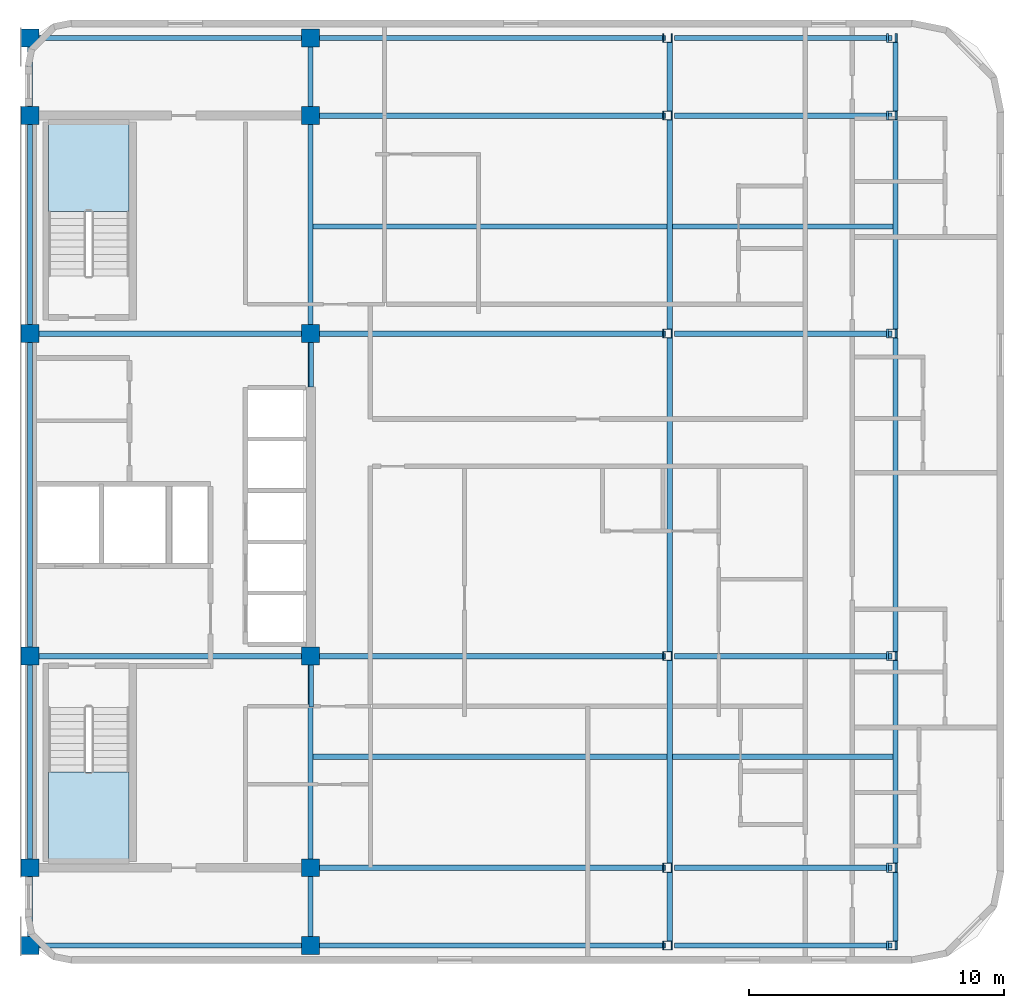
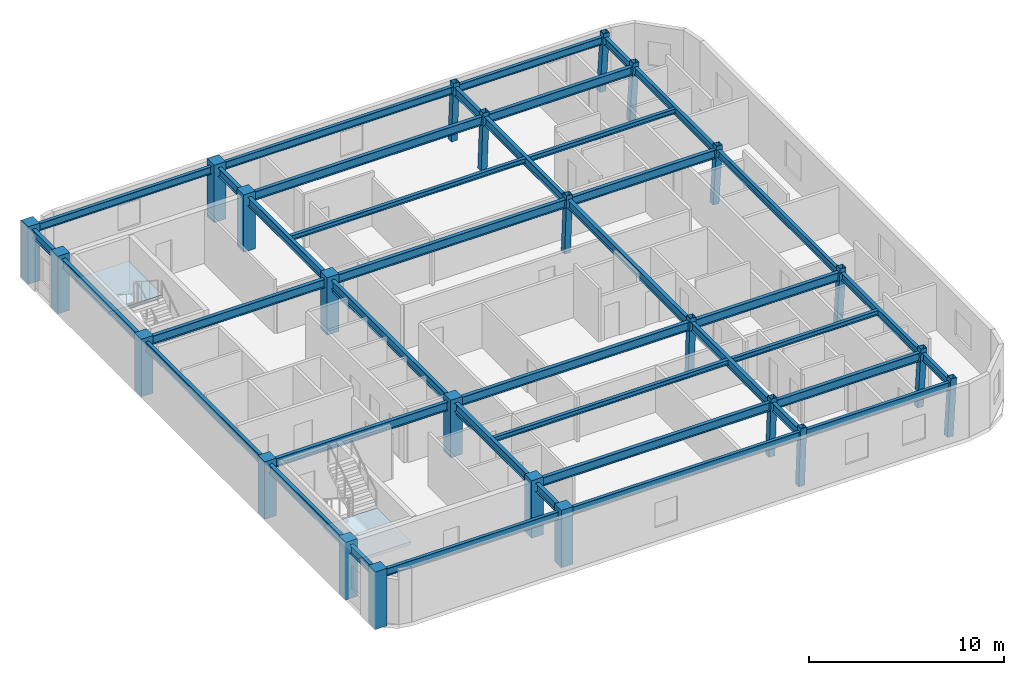
# One storey, part 1 of 6: 42 beams, 24 columns, 2 slabs, 2 elements without a shape of their own.
"""IFC4 building model written with IfcOpenShell, lengths in metres."""

from ifc_helpers import new_model, si_unit, direction, frame, origin, origin_2d, place, context, subcontext, project, spatial, polyline, rectangle, hollow_rectangle, i_section, outline, extrude, material, layer, layer_set, material_profile, profile_set, type_object, element, aggregate, save


model = new_model("IFC4")

# Units and contexts
model_context = context("Model", 3, precision=1e-05, world=origin(), true_north=direction((0.0, 1.0)))
body_context = subcontext(model_context, "Body", "Model", "MODEL_VIEW")
ifc_project = project(units=[si_unit("LENGTHUNIT", "METRE"), si_unit("AREAUNIT", "SQUARE_METRE"), si_unit("VOLUMEUNIT", "CUBIC_METRE"), si_unit("PLANEANGLEUNIT", "RADIAN"), si_unit("MASSUNIT", "GRAM", prefix="KILO")], contexts=[model_context])

# Site, building, storey
site_placement = place(None, origin())
site = spatial("IfcSite", under=ifc_project, at=site_placement, CompositionType="ELEMENT")
building_placement = place(site_placement, origin())
building = spatial("IfcBuilding", under=site, at=building_placement, Name="Ochreholt Gables", CompositionType="ELEMENT")
storey_placement = place(building_placement, frame((0.0, 0.0, 264.0)))
storey = spatial("IfcBuildingStorey", under=building, at=storey_placement, Name="L69", CompositionType="ELEMENT", Elevation=264.0)

# Columns
ifc_material_1 = material(Name="Steel CSA G40.21 350W", Category="steel")
ifc_material_profile_1 = material_profile(ifc_material_1, hollow_rectangle(XDim=0.35595703125, YDim=0.35595703125, WallThickness=0.01611328125, at=origin_2d()), Name="HSS356X356X16")
ifc_profile_set_1 = profile_set([ifc_material_profile_1], Name="Steel CSA G40.21 350W")
column_type_1 = type_object("IfcColumnType", Name="COL-HSS356-RAK", PredefinedType="COLUMN", material=ifc_profile_set_1)
for number, where, z_axis, x_axis, name in (
    (1, (49.176025390625, 9.25, 0.0), (0.034971136209, 0.0, 0.999388322742), (0.0, 1.0, 0.0), "L69 Column EMY2"),
    (2, (49.176025390625, 17.550048828125, 0.0), (0.034971136209, 0.0, 0.999388322742), (0.0, 1.0, 0.0), "L69 Column EMY3"),
    (3, (49.176025390625, 30.199951171875, 0.0), (0.034971136209, 0.0, 0.999388322742), (0.0, 1.0, 0.0), "L69 Column EMY4"),
    (4, (49.176025390625, 38.75, 0.0), (0.034971136209, 0.0, 0.999388322742), (0.0, 1.0, 0.0), "L69 Column EMY5"),
):
    element("IfcColumn", number, at=place(storey_placement, frame(where, z_axis=z_axis, x_axis=x_axis)), inside=storey, type_object=column_type_1, Name=name, PredefinedType="COLUMN", context=body_context, shape_type="SweptSolid", body=[
        extrude(hollow_rectangle(XDim=0.35595703125, YDim=0.35595703125, WallThickness=0.01611328125, at=origin_2d()), origin(), (0.0, 0.0, 1.0), 3.602294921875),
    ])
ifc_material_profile_2 = material_profile(ifc_material_1, hollow_rectangle(XDim=0.35595703125, YDim=0.35595703125, WallThickness=0.01611328125, at=origin_2d()), Name="HSS356X356X16")
ifc_profile_set_2 = profile_set([ifc_material_profile_2], Name="Steel CSA G40.21 350W")
column_type_2 = type_object("IfcColumnType", Name="COL-HSS356-RAKE", PredefinedType="COLUMN", material=ifc_profile_set_2)
for number, where, z_axis, x_axis, name in (
    (5, (49.176025390625, 6.199951171875, 0.0), (0.034971136209, 0.0, 0.999388322742), (0.0, 1.0, 0.0), "L69 Column EMY1"),
    (6, (49.176025390625, 41.800048828125, 0.0), (0.034971136209, 0.0, 0.999388322742), (0.0, 1.0, 0.0), "L69 Column EMY6"),
):
    element("IfcColumn", number, at=place(storey_placement, frame(where, z_axis=z_axis, x_axis=x_axis)), inside=storey, type_object=column_type_2, Name=name, PredefinedType="COLUMN", context=body_context, shape_type="SweptSolid", body=[
        extrude(hollow_rectangle(XDim=0.35595703125, YDim=0.35595703125, WallThickness=0.01611328125, at=origin_2d()), origin(), (0.0, 0.0, 1.0), 3.602294921875),
    ])
for number, where, z_axis, x_axis, name in (
    (7, (57.96875, 6.199951171875, 0.0), (0.057884606321, 0.0, 0.998323280481), (0.0, 1.0, 0.0), "L69 Column EEY1"),
    (8, (57.96875, 9.25, 0.0), (0.057884606321, 0.0, 0.998323280481), (0.0, 1.0, 0.0), "L69 Column EEY2"),
    (9, (57.96875, 17.550048828125, 0.0), (0.057884606321, 0.0, 0.998323280481), (0.0, 1.0, 0.0), "L69 Column EEY3"),
    (10, (57.96875, 30.199951171875, 0.0), (0.057884606321, 0.0, 0.998323280481), (0.0, 1.0, 0.0), "L69 Column EEY4"),
    (11, (57.96875, 38.75, 0.0), (0.057884606321, 0.0, 0.998323280481), (0.0, 1.0, 0.0), "L69 Column EEY5"),
    (12, (57.96875, 41.800048828125, 0.0), (0.057884606321, 0.0, 0.998323280481), (0.0, 1.0, 0.0), "L69 Column EEY6"),
):
    element("IfcColumn", number, at=place(storey_placement, frame(where, z_axis=z_axis, x_axis=x_axis)), inside=storey, type_object=column_type_2, Name=name, PredefinedType="COLUMN", context=body_context, shape_type="SweptSolid", body=[
        extrude(hollow_rectangle(XDim=0.35595703125, YDim=0.35595703125, WallThickness=0.01611328125, at=origin_2d()), origin(), (0.0, 0.0, 1.0), 3.606201171875),
    ])
ifc_material_2 = material(Name="Concrete 50 MPa", Category="concrete")
ifc_material_profile_3 = material_profile(ifc_material_2, rectangle(XDim=0.699951171875, YDim=0.699951171875, at=origin_2d()), Name="RC700X700")
ifc_profile_set_3 = profile_set([ifc_material_profile_3], Name="Concrete 50 MPa")
column_type_3 = type_object("IfcColumnType", Name="COL-RC700-EXT", PredefinedType="COLUMN", material=ifc_profile_set_3)
for number, where, z_axis, x_axis, name in (
    (13, (24.199951171875, 6.199951171875, 0.0), (0.0, 0.0, 1.0), (1.0, 0.0, 0.0), "L69 Column C1Y1"),
    (14, (24.199951171875, 9.25, 0.0), (0.0, 0.0, 1.0), (1.0, 0.0, 0.0), "L69 Column C1Y2"),
    (15, (24.199951171875, 17.550048828125, 0.0), (0.0, 0.0, 1.0), (1.0, 0.0, 0.0), "L69 Column C1Y3"),
    (16, (24.199951171875, 30.199951171875, 0.0), (0.0, 0.0, 1.0), (1.0, 0.0, 0.0), "L69 Column C1Y4"),
    (17, (24.199951171875, 38.75, 0.0), (0.0, 0.0, 1.0), (1.0, 0.0, 0.0), "L69 Column C1Y5"),
    (18, (24.199951171875, 41.800048828125, 0.0), (0.0, 0.0, 1.0), (1.0, 0.0, 0.0), "L69 Column C1Y6"),
    (19, (35.199951171875, 6.199951171875, 0.0), (0.0, 0.0, 1.0), (1.0, 0.0, 0.0), "L69 Column C2Y1"),
    (20, (35.199951171875, 41.800048828125, 0.0), (0.0, 0.0, 1.0), (1.0, 0.0, 0.0), "L69 Column C2Y6"),
):
    element("IfcColumn", number, at=place(storey_placement, frame(where, z_axis=z_axis, x_axis=x_axis)), inside=storey, type_object=column_type_3, Name=name, PredefinedType="COLUMN", context=body_context, shape_type="SweptSolid", body=[
        extrude(rectangle(XDim=0.699951171875, YDim=0.699951171875, at=origin_2d()), origin(), (0.0, 0.0, 1.0), 3.60009765625),
    ])
ifc_material_profile_4 = material_profile(ifc_material_2, rectangle(XDim=0.699951171875, YDim=0.699951171875, at=origin_2d()), Name="RC700X700")
ifc_profile_set_4 = profile_set([ifc_material_profile_4], Name="Concrete 50 MPa")
column_type_4 = type_object("IfcColumnType", Name="COL-RC700-INT", PredefinedType="COLUMN", material=ifc_profile_set_4)
for number, where, z_axis, x_axis, name in (
    (21, (35.199951171875, 9.25, 0.0), (0.0, 0.0, 1.0), (1.0, 0.0, 0.0), "L69 Column C2Y2"),
    (22, (35.199951171875, 17.550048828125, 0.0), (0.0, 0.0, 1.0), (1.0, 0.0, 0.0), "L69 Column C2Y3"),
    (23, (35.199951171875, 30.199951171875, 0.0), (0.0, 0.0, 1.0), (1.0, 0.0, 0.0), "L69 Column C2Y4"),
    (24, (35.199951171875, 38.75, 0.0), (0.0, 0.0, 1.0), (1.0, 0.0, 0.0), "L69 Column C2Y5"),
):
    element("IfcColumn", number, at=place(storey_placement, frame(where, z_axis=z_axis, x_axis=x_axis)), inside=storey, type_object=column_type_4, Name=name, PredefinedType="COLUMN", context=body_context, shape_type="SweptSolid", body=[
        extrude(rectangle(XDim=0.699951171875, YDim=0.699951171875, at=origin_2d()), origin(), (0.0, 0.0, 1.0), 3.60009765625),
    ])

# Beams
ifc_material_profile_5 = material_profile(ifc_material_1, i_section(OverallWidth=0.2109375, OverallDepth=0.5390625, WebThickness=0.01171875, FlangeThickness=0.018798828125, at=origin_2d()), Name="W530X109")
ifc_profile_set_5 = profile_set([ifc_material_profile_5], Name="Steel CSA G40.21 350W")
beam_type_1 = type_object("IfcBeamType", Name="BM-G-W530A", PredefinedType="BEAM", material=ifc_profile_set_5)
beam_1_placement = place(storey_placement, frame((35.549560546875, 9.25, 3.090576171875), z_axis=(1.0, 0.0, 0.0), x_axis=(0.0, 1.0, 0.0)))
element("IfcBeam", 25, at=beam_1_placement, inside=storey, type_object=beam_type_1, Name="L69 Beam TBG-L69-C2EM-Y2", PredefinedType="BEAM", context=body_context, shape_type="SweptSolid", body=[
    extrude(i_section(OverallWidth=0.2109375, OverallDepth=0.5390625, WebThickness=0.01171875, FlangeThickness=0.018798828125, at=origin_2d()), origin(), (0.0, 0.0, 1.0), 13.574951171875),
])
beam_2_placement = place(storey_placement, frame((49.4794921875, 9.25, 3.090576171875), z_axis=(1.0, 0.0, 0.0), x_axis=(0.0, 1.0, 0.0)))
element("IfcBeam", 26, at=beam_2_placement, inside=storey, type_object=beam_type_1, Name="L69 Beam TBG-L69-EMEE-Y2", PredefinedType="BEAM", context=body_context, shape_type="SweptSolid", body=[
    extrude(i_section(OverallWidth=0.2109375, OverallDepth=0.5390625, WebThickness=0.01171875, FlangeThickness=0.018798828125, at=origin_2d()), origin(), (0.0, 0.0, 1.0), 8.5205078125),
])
beam_3_placement = place(storey_placement, frame((24.549560546875, 17.550048828125, 3.090576171875), z_axis=(1.0, 0.0, 0.0), x_axis=(0.0, 1.0, 0.0)))
element("IfcBeam", 27, at=beam_3_placement, inside=storey, type_object=beam_type_1, Name="L69 Beam TBG-L69-C1C2-Y3", PredefinedType="BEAM", context=body_context, shape_type="SweptSolid", body=[
    extrude(i_section(OverallWidth=0.2109375, OverallDepth=0.5390625, WebThickness=0.01171875, FlangeThickness=0.018798828125, at=origin_2d()), origin(), (0.0, 0.0, 1.0), 10.30078125),
])
beam_4_placement = place(storey_placement, frame((35.549560546875, 17.550048828125, 3.090576171875), z_axis=(1.0, 0.0, 0.0), x_axis=(0.0, 1.0, 0.0)))
element("IfcBeam", 28, at=beam_4_placement, inside=storey, type_object=beam_type_1, Name="L69 Beam TBG-L69-C2EM-Y3", PredefinedType="BEAM", context=body_context, shape_type="SweptSolid", body=[
    extrude(i_section(OverallWidth=0.2109375, OverallDepth=0.5390625, WebThickness=0.01171875, FlangeThickness=0.018798828125, at=origin_2d()), origin(), (0.0, 0.0, 1.0), 13.574951171875),
])
beam_5_placement = place(storey_placement, frame((49.4794921875, 17.550048828125, 3.090576171875), z_axis=(1.0, 0.0, 0.0), x_axis=(0.0, 1.0, 0.0)))
element("IfcBeam", 29, at=beam_5_placement, inside=storey, type_object=beam_type_1, Name="L69 Beam TBG-L69-EMEE-Y3", PredefinedType="BEAM", context=body_context, shape_type="SweptSolid", body=[
    extrude(i_section(OverallWidth=0.2109375, OverallDepth=0.5390625, WebThickness=0.01171875, FlangeThickness=0.018798828125, at=origin_2d()), origin(), (0.0, 0.0, 1.0), 8.5205078125),
])
beam_6_placement = place(storey_placement, frame((24.549560546875, 30.199951171875, 3.090576171875), z_axis=(1.0, 0.0, 0.0), x_axis=(0.0, 1.0, 0.0)))
element("IfcBeam", 30, at=beam_6_placement, inside=storey, type_object=beam_type_1, Name="L69 Beam TBG-L69-C1C2-Y4", PredefinedType="BEAM", context=body_context, shape_type="SweptSolid", body=[
    extrude(i_section(OverallWidth=0.2109375, OverallDepth=0.5390625, WebThickness=0.01171875, FlangeThickness=0.018798828125, at=origin_2d()), origin(), (0.0, 0.0, 1.0), 10.30078125),
])
beam_7_placement = place(storey_placement, frame((35.549560546875, 30.199951171875, 3.090576171875), z_axis=(1.0, 0.0, 0.0), x_axis=(0.0, 1.0, 0.0)))
element("IfcBeam", 31, at=beam_7_placement, inside=storey, type_object=beam_type_1, Name="L69 Beam TBG-L69-C2EM-Y4", PredefinedType="BEAM", context=body_context, shape_type="SweptSolid", body=[
    extrude(i_section(OverallWidth=0.2109375, OverallDepth=0.5390625, WebThickness=0.01171875, FlangeThickness=0.018798828125, at=origin_2d()), origin(), (0.0, 0.0, 1.0), 13.574951171875),
])
beam_8_placement = place(storey_placement, frame((49.4794921875, 30.199951171875, 3.090576171875), z_axis=(1.0, 0.0, 0.0), x_axis=(0.0, 1.0, 0.0)))
element("IfcBeam", 32, at=beam_8_placement, inside=storey, type_object=beam_type_1, Name="L69 Beam TBG-L69-EMEE-Y4", PredefinedType="BEAM", context=body_context, shape_type="SweptSolid", body=[
    extrude(i_section(OverallWidth=0.2109375, OverallDepth=0.5390625, WebThickness=0.01171875, FlangeThickness=0.018798828125, at=origin_2d()), origin(), (0.0, 0.0, 1.0), 8.5205078125),
])
beam_9_placement = place(storey_placement, frame((35.549560546875, 38.75, 3.090576171875), z_axis=(1.0, 0.0, 0.0), x_axis=(0.0, 1.0, 0.0)))
element("IfcBeam", 33, at=beam_9_placement, inside=storey, type_object=beam_type_1, Name="L69 Beam TBG-L69-C2EM-Y5", PredefinedType="BEAM", context=body_context, shape_type="SweptSolid", body=[
    extrude(i_section(OverallWidth=0.2109375, OverallDepth=0.5390625, WebThickness=0.01171875, FlangeThickness=0.018798828125, at=origin_2d()), origin(), (0.0, 0.0, 1.0), 13.574951171875),
])
beam_10_placement = place(storey_placement, frame((49.4794921875, 38.75, 3.090576171875), z_axis=(1.0, 0.0, 0.0), x_axis=(0.0, 1.0, 0.0)))
element("IfcBeam", 34, at=beam_10_placement, inside=storey, type_object=beam_type_1, Name="L69 Beam TBG-L69-EMEE-Y5", PredefinedType="BEAM", context=body_context, shape_type="SweptSolid", body=[
    extrude(i_section(OverallWidth=0.2109375, OverallDepth=0.5390625, WebThickness=0.01171875, FlangeThickness=0.018798828125, at=origin_2d()), origin(), (0.0, 0.0, 1.0), 8.5205078125),
])
beam_11_placement = place(storey_placement, frame((24.199951171875, 6.549560546875, 3.090576171875), z_axis=(0.0, 1.0, 0.0), x_axis=(-1.0, 0.0, 0.0)))
element("IfcBeam", 35, at=beam_11_placement, inside=storey, type_object=beam_type_1, Name="L69 Beam TBN-L69-C1-Y1Y2", PredefinedType="BEAM", context=body_context, shape_type="SweptSolid", body=[
    extrude(i_section(OverallWidth=0.2109375, OverallDepth=0.5390625, WebThickness=0.01171875, FlangeThickness=0.018798828125, at=origin_2d()), origin(), (0.0, 0.0, 1.0), 2.350830078125),
])
beam_12_placement = place(storey_placement, frame((24.199951171875, 9.599609375, 3.090576171875), z_axis=(0.0, 1.0, 0.0), x_axis=(-1.0, 0.0, 0.0)))
element("IfcBeam", 36, at=beam_12_placement, inside=storey, type_object=beam_type_1, Name="L69 Beam TBN-L69-C1-Y2Y3", PredefinedType="BEAM", context=body_context, shape_type="SweptSolid", body=[
    extrude(i_section(OverallWidth=0.2109375, OverallDepth=0.5390625, WebThickness=0.01171875, FlangeThickness=0.018798828125, at=origin_2d()), origin(), (0.0, 0.0, 1.0), 7.600830078125),
])
beam_13_placement = place(storey_placement, frame((24.199951171875, 17.899658203125, 3.090576171875), z_axis=(0.0, 1.0, 0.0), x_axis=(-1.0, 0.0, 0.0)))
element("IfcBeam", 37, at=beam_13_placement, inside=storey, type_object=beam_type_1, Name="L69 Beam TBN-L69-C1-Y3Y4", PredefinedType="BEAM", context=body_context, shape_type="SweptSolid", body=[
    extrude(i_section(OverallWidth=0.2109375, OverallDepth=0.5390625, WebThickness=0.01171875, FlangeThickness=0.018798828125, at=origin_2d()), origin(), (0.0, 0.0, 1.0), 11.95068359375),
])
beam_14_placement = place(storey_placement, frame((24.199951171875, 30.549560546875, 3.090576171875), z_axis=(0.0, 1.0, 0.0), x_axis=(-1.0, 0.0, 0.0)))
element("IfcBeam", 38, at=beam_14_placement, inside=storey, type_object=beam_type_1, Name="L69 Beam TBN-L69-C1-Y4Y5", PredefinedType="BEAM", context=body_context, shape_type="SweptSolid", body=[
    extrude(i_section(OverallWidth=0.2109375, OverallDepth=0.5390625, WebThickness=0.01171875, FlangeThickness=0.018798828125, at=origin_2d()), origin(), (0.0, 0.0, 1.0), 7.850830078125),
])
for number, where, z_axis, x_axis, name in (
    (39, (24.199951171875, 39.099609375, 3.090576171875), (0.0, 1.0, 0.0), (-1.0, 0.0, 0.0), "L69 Beam TBN-L69-C1-Y5Y6"),
    (40, (35.199951171875, 6.549560546875, 3.090576171875), (0.0, 1.0, 0.0), (-1.0, 0.0, 0.0), "L69 Beam TBN-L69-C2-Y1Y2"),
):
    element("IfcBeam", number, at=place(storey_placement, frame(where, z_axis=z_axis, x_axis=x_axis)), inside=storey, type_object=beam_type_1, Name=name, PredefinedType="BEAM", context=body_context, shape_type="SweptSolid", body=[
        extrude(i_section(OverallWidth=0.2109375, OverallDepth=0.5390625, WebThickness=0.01171875, FlangeThickness=0.018798828125, at=origin_2d()), origin(), (0.0, 0.0, 1.0), 2.350830078125),
    ])
beam_15_placement = place(storey_placement, frame((35.199951171875, 9.599609375, 3.090576171875), z_axis=(0.0, 1.0, 0.0), x_axis=(-1.0, 0.0, 0.0)))
element("IfcBeam", 41, at=beam_15_placement, inside=storey, type_object=beam_type_1, Name="L69 Beam TBN-L69-C2-Y2Y3", PredefinedType="BEAM", context=body_context, shape_type="SweptSolid", body=[
    extrude(i_section(OverallWidth=0.2109375, OverallDepth=0.5390625, WebThickness=0.01171875, FlangeThickness=0.018798828125, at=origin_2d()), origin(), (0.0, 0.0, 1.0), 7.600830078125),
])
beam_16_placement = place(storey_placement, frame((35.199951171875, 17.899658203125, 3.090576171875), z_axis=(0.0, 1.0, 0.0), x_axis=(-1.0, 0.0, 0.0)))
element("IfcBeam", 42, at=beam_16_placement, inside=storey, type_object=beam_type_1, Name="L69 Beam TBN-L69-C2-Y3Y4", PredefinedType="BEAM", context=body_context, shape_type="SweptSolid", body=[
    extrude(i_section(OverallWidth=0.2109375, OverallDepth=0.5390625, WebThickness=0.01171875, FlangeThickness=0.018798828125, at=origin_2d()), origin(), (0.0, 0.0, 1.0), 11.95068359375),
])
beam_17_placement = place(storey_placement, frame((35.199951171875, 30.549560546875, 3.090576171875), z_axis=(0.0, 1.0, 0.0), x_axis=(-1.0, 0.0, 0.0)))
element("IfcBeam", 43, at=beam_17_placement, inside=storey, type_object=beam_type_1, Name="L69 Beam TBN-L69-C2-Y4Y5", PredefinedType="BEAM", context=body_context, shape_type="SweptSolid", body=[
    extrude(i_section(OverallWidth=0.2109375, OverallDepth=0.5390625, WebThickness=0.01171875, FlangeThickness=0.018798828125, at=origin_2d()), origin(), (0.0, 0.0, 1.0), 7.850830078125),
])
beam_18_placement = place(storey_placement, frame((35.199951171875, 39.099609375, 3.090576171875), z_axis=(0.0, 1.0, 0.0), x_axis=(-1.0, 0.0, 0.0)))
element("IfcBeam", 44, at=beam_18_placement, inside=storey, type_object=beam_type_1, Name="L69 Beam TBN-L69-C2-Y5Y6", PredefinedType="BEAM", context=body_context, shape_type="SweptSolid", body=[
    extrude(i_section(OverallWidth=0.2109375, OverallDepth=0.5390625, WebThickness=0.01171875, FlangeThickness=0.018798828125, at=origin_2d()), origin(), (0.0, 0.0, 1.0), 2.350830078125),
])
beam_19_placement = place(storey_placement, frame((49.284912109375, 6.377685546875, 3.090576171875), z_axis=(0.0, 1.0, 0.0), x_axis=(-1.0, 0.0, 0.0)))
element("IfcBeam", 45, at=beam_19_placement, inside=storey, type_object=beam_type_1, Name="L69 Beam TBN-L69-EM-Y1Y2", PredefinedType="BEAM", context=body_context, shape_type="SweptSolid", body=[
    extrude(i_section(OverallWidth=0.2109375, OverallDepth=0.5390625, WebThickness=0.01171875, FlangeThickness=0.018798828125, at=origin_2d()), origin(), (0.0, 0.0, 1.0), 2.69482421875),
])
beam_20_placement = place(storey_placement, frame((49.284912109375, 9.427490234375, 3.090576171875), z_axis=(0.0, 1.0, 0.0), x_axis=(-1.0, 0.0, 0.0)))
element("IfcBeam", 46, at=beam_20_placement, inside=storey, type_object=beam_type_1, Name="L69 Beam TBN-L69-EM-Y2Y3", PredefinedType="BEAM", context=body_context, shape_type="SweptSolid", body=[
    extrude(i_section(OverallWidth=0.2109375, OverallDepth=0.5390625, WebThickness=0.01171875, FlangeThickness=0.018798828125, at=origin_2d()), origin(), (0.0, 0.0, 1.0), 7.94482421875),
])
beam_21_placement = place(storey_placement, frame((49.284912109375, 17.7275390625, 3.090576171875), z_axis=(0.0, 1.0, 0.0), x_axis=(-1.0, 0.0, 0.0)))
element("IfcBeam", 47, at=beam_21_placement, inside=storey, type_object=beam_type_1, Name="L69 Beam TBN-L69-EM-Y3Y4", PredefinedType="BEAM", context=body_context, shape_type="SweptSolid", body=[
    extrude(i_section(OverallWidth=0.2109375, OverallDepth=0.5390625, WebThickness=0.01171875, FlangeThickness=0.018798828125, at=origin_2d()), origin(), (0.0, 0.0, 1.0), 12.294921875),
])
beam_22_placement = place(storey_placement, frame((49.284912109375, 30.377685546875, 3.090576171875), z_axis=(0.0, 1.0, 0.0), x_axis=(-1.0, 0.0, 0.0)))
element("IfcBeam", 48, at=beam_22_placement, inside=storey, type_object=beam_type_1, Name="L69 Beam TBN-L69-EM-Y4Y5", PredefinedType="BEAM", context=body_context, shape_type="SweptSolid", body=[
    extrude(i_section(OverallWidth=0.2109375, OverallDepth=0.5390625, WebThickness=0.01171875, FlangeThickness=0.018798828125, at=origin_2d()), origin(), (0.0, 0.0, 1.0), 8.19482421875),
])
beam_23_placement = place(storey_placement, frame((49.284912109375, 38.927490234375, 3.090576171875), z_axis=(0.0, 1.0, 0.0), x_axis=(-1.0, 0.0, 0.0)))
element("IfcBeam", 49, at=beam_23_placement, inside=storey, type_object=beam_type_1, Name="L69 Beam TBN-L69-EM-Y5Y6", PredefinedType="BEAM", context=body_context, shape_type="SweptSolid", body=[
    extrude(i_section(OverallWidth=0.2109375, OverallDepth=0.5390625, WebThickness=0.01171875, FlangeThickness=0.018798828125, at=origin_2d()), origin(), (0.0, 0.0, 1.0), 2.69482421875),
])
ifc_material_profile_6 = material_profile(ifc_material_1, i_section(OverallWidth=0.202880859375, OverallDepth=0.302978515625, WebThickness=0.007568359375, FlangeThickness=0.01318359375, at=origin_2d()), Name="W310X60")
ifc_profile_set_6 = profile_set([ifc_material_profile_6], Name="Steel CSA G40.21 350W")
beam_type_2 = type_object("IfcBeamType", Name="BM-J-W310", PredefinedType="JOIST", material=ifc_profile_set_6)
beam_24_placement = place(storey_placement, frame((35.30517578125, 13.60009765625, 3.20849609375), z_axis=(1.0, 0.0, 0.0), x_axis=(0.0, 1.0, 0.0)))
element("IfcBeam", 50, at=beam_24_placement, inside=storey, type_object=beam_type_2, Name="L69 Beam TBJ-L69-J1-C2EM", PredefinedType="JOIST", context=body_context, shape_type="SweptSolid", body=[
    extrude(i_section(OverallWidth=0.202880859375, OverallDepth=0.302978515625, WebThickness=0.007568359375, FlangeThickness=0.01318359375, at=origin_2d()), origin(), (0.0, 0.0, 1.0), 13.87451171875),
])
beam_25_placement = place(storey_placement, frame((49.389892578125, 13.60009765625, 3.20849609375), z_axis=(1.0, 0.0, 0.0), x_axis=(0.0, 1.0, 0.0)))
element("IfcBeam", 51, at=beam_25_placement, inside=storey, type_object=beam_type_2, Name="L69 Beam TBJ-L69-J1-EMEE", PredefinedType="JOIST", context=body_context, shape_type="SweptSolid", body=[
    extrude(i_section(OverallWidth=0.202880859375, OverallDepth=0.302978515625, WebThickness=0.007568359375, FlangeThickness=0.01318359375, at=origin_2d()), origin(), (0.0, 0.0, 1.0), 8.663818359375),
])
beam_26_placement = place(storey_placement, frame((35.30517578125, 34.39990234375, 3.20849609375), z_axis=(1.0, 0.0, 0.0), x_axis=(0.0, 1.0, 0.0)))
element("IfcBeam", 52, at=beam_26_placement, inside=storey, type_object=beam_type_2, Name="L69 Beam TBJ-L69-J2-C2EM", PredefinedType="JOIST", context=body_context, shape_type="SweptSolid", body=[
    extrude(i_section(OverallWidth=0.202880859375, OverallDepth=0.302978515625, WebThickness=0.007568359375, FlangeThickness=0.01318359375, at=origin_2d()), origin(), (0.0, 0.0, 1.0), 13.87451171875),
])
beam_27_placement = place(storey_placement, frame((49.389892578125, 34.39990234375, 3.20849609375), z_axis=(1.0, 0.0, 0.0), x_axis=(0.0, 1.0, 0.0)))
element("IfcBeam", 53, at=beam_27_placement, inside=storey, type_object=beam_type_2, Name="L69 Beam TBJ-L69-J2-EMEE", PredefinedType="JOIST", context=body_context, shape_type="SweptSolid", body=[
    extrude(i_section(OverallWidth=0.202880859375, OverallDepth=0.302978515625, WebThickness=0.007568359375, FlangeThickness=0.01318359375, at=origin_2d()), origin(), (0.0, 0.0, 1.0), 8.663818359375),
])
ifc_material_profile_7 = material_profile(ifc_material_1, i_section(OverallWidth=0.1650390625, OverallDepth=0.200927734375, WebThickness=0.006103515625, FlangeThickness=0.01025390625, at=origin_2d()), Name="W200X36")
ifc_profile_set_7 = profile_set([ifc_material_profile_7], Name="Steel CSA G40.21 350W")
beam_type_3 = type_object("IfcBeamType", Name="BM-LIN-W200", PredefinedType="LINTEL", material=ifc_profile_set_7)
beam_28_placement = place(storey_placement, frame((35.22509765625, 15.550048828125, 2.720458984375), z_axis=(0.0, 1.0, 0.0), x_axis=(-1.0, 0.0, 0.0)))
element("IfcBeam", 54, at=beam_28_placement, inside=storey, type_object=beam_type_3, Name="L69 Core Coupling Lintel CPS", PredefinedType="LINTEL", context=body_context, shape_type="SweptSolid", body=[
    extrude(i_section(OverallWidth=0.1650390625, OverallDepth=0.200927734375, WebThickness=0.006103515625, FlangeThickness=0.01025390625, at=origin_2d()), origin(), (0.0, 0.0, 1.0), 1.64990234375),
])
beam_29_placement = place(storey_placement, frame((35.22509765625, 28.10009765625, 2.720458984375), z_axis=(0.0, 1.0, 0.0), x_axis=(-1.0, 0.0, 0.0)))
element("IfcBeam", 55, at=beam_29_placement, inside=storey, type_object=beam_type_3, Name="L69 Core Coupling Lintel CPN", PredefinedType="LINTEL", context=body_context, shape_type="SweptSolid", body=[
    extrude(i_section(OverallWidth=0.1650390625, OverallDepth=0.200927734375, WebThickness=0.006103515625, FlangeThickness=0.01025390625, at=origin_2d()), origin(), (0.0, 0.0, 1.0), 1.75),
])
ifc_material_profile_8 = material_profile(ifc_material_1, i_section(OverallWidth=0.19189453125, OverallDepth=0.462890625, WebThickness=0.010498046875, FlangeThickness=0.017578125, at=origin_2d()), Name="W460X89")
ifc_profile_set_8 = profile_set([ifc_material_profile_8], Name="Steel CSA G40.21 350W")
beam_type_4 = type_object("IfcBeamType", Name="BM-SP-W460A", PredefinedType="SPANDREL", material=ifc_profile_set_8)
beam_30_placement = place(storey_placement, frame((24.549560546875, 6.199951171875, 3.12841796875), z_axis=(1.0, 0.0, 0.0), x_axis=(0.0, 1.0, 0.0)))
element("IfcBeam", 56, at=beam_30_placement, inside=storey, type_object=beam_type_4, Name="L69 Beam TBG-L69-C1C2-Y1", PredefinedType="SPANDREL", context=body_context, shape_type="SweptSolid", body=[
    extrude(i_section(OverallWidth=0.19189453125, OverallDepth=0.462890625, WebThickness=0.010498046875, FlangeThickness=0.017578125, at=origin_2d()), origin(), (0.0, 0.0, 1.0), 10.30078125),
])
beam_31_placement = place(storey_placement, frame((35.549560546875, 6.199951171875, 3.12841796875), z_axis=(1.0, 0.0, 0.0), x_axis=(0.0, 1.0, 0.0)))
element("IfcBeam", 57, at=beam_31_placement, inside=storey, type_object=beam_type_4, Name="L69 Beam TBG-L69-C2EM-Y1", PredefinedType="SPANDREL", context=body_context, shape_type="SweptSolid", body=[
    extrude(i_section(OverallWidth=0.19189453125, OverallDepth=0.462890625, WebThickness=0.010498046875, FlangeThickness=0.017578125, at=origin_2d()), origin(), (0.0, 0.0, 1.0), 13.574951171875),
])
beam_32_placement = place(storey_placement, frame((49.4794921875, 6.199951171875, 3.12841796875), z_axis=(1.0, 0.0, 0.0), x_axis=(0.0, 1.0, 0.0)))
element("IfcBeam", 58, at=beam_32_placement, inside=storey, type_object=beam_type_4, Name="L69 Beam TBG-L69-EMEE-Y1", PredefinedType="SPANDREL", context=body_context, shape_type="SweptSolid", body=[
    extrude(i_section(OverallWidth=0.19189453125, OverallDepth=0.462890625, WebThickness=0.010498046875, FlangeThickness=0.017578125, at=origin_2d()), origin(), (0.0, 0.0, 1.0), 8.5205078125),
])
beam_33_placement = place(storey_placement, frame((24.549560546875, 41.800048828125, 3.12841796875), z_axis=(1.0, 0.0, 0.0), x_axis=(0.0, 1.0, 0.0)))
element("IfcBeam", 59, at=beam_33_placement, inside=storey, type_object=beam_type_4, Name="L69 Beam TBG-L69-C1C2-Y6", PredefinedType="SPANDREL", context=body_context, shape_type="SweptSolid", body=[
    extrude(i_section(OverallWidth=0.19189453125, OverallDepth=0.462890625, WebThickness=0.010498046875, FlangeThickness=0.017578125, at=origin_2d()), origin(), (0.0, 0.0, 1.0), 10.30078125),
])
beam_34_placement = place(storey_placement, frame((35.549560546875, 41.800048828125, 3.12841796875), z_axis=(1.0, 0.0, 0.0), x_axis=(0.0, 1.0, 0.0)))
element("IfcBeam", 60, at=beam_34_placement, inside=storey, type_object=beam_type_4, Name="L69 Beam TBG-L69-C2EM-Y6", PredefinedType="SPANDREL", context=body_context, shape_type="SweptSolid", body=[
    extrude(i_section(OverallWidth=0.19189453125, OverallDepth=0.462890625, WebThickness=0.010498046875, FlangeThickness=0.017578125, at=origin_2d()), origin(), (0.0, 0.0, 1.0), 13.574951171875),
])
beam_35_placement = place(storey_placement, frame((49.4794921875, 41.800048828125, 3.12841796875), z_axis=(1.0, 0.0, 0.0), x_axis=(0.0, 1.0, 0.0)))
element("IfcBeam", 61, at=beam_35_placement, inside=storey, type_object=beam_type_4, Name="L69 Beam TBG-L69-EMEE-Y6", PredefinedType="SPANDREL", context=body_context, shape_type="SweptSolid", body=[
    extrude(i_section(OverallWidth=0.19189453125, OverallDepth=0.462890625, WebThickness=0.010498046875, FlangeThickness=0.017578125, at=origin_2d()), origin(), (0.0, 0.0, 1.0), 8.5205078125),
])
beam_36_placement = place(storey_placement, frame((58.149169921875, 6.377685546875, 3.12841796875), z_axis=(0.0, 1.0, 0.0), x_axis=(-1.0, 0.0, 0.0)))
element("IfcBeam", 62, at=beam_36_placement, inside=storey, type_object=beam_type_4, Name="L69 Beam TBN-L69-EE-Y1Y2", PredefinedType="SPANDREL", context=body_context, shape_type="SweptSolid", body=[
    extrude(i_section(OverallWidth=0.19189453125, OverallDepth=0.462890625, WebThickness=0.010498046875, FlangeThickness=0.017578125, at=origin_2d()), origin(), (0.0, 0.0, 1.0), 2.69482421875),
])
beam_37_placement = place(storey_placement, frame((58.149169921875, 9.427490234375, 3.12841796875), z_axis=(0.0, 1.0, 0.0), x_axis=(-1.0, 0.0, 0.0)))
element("IfcBeam", 63, at=beam_37_placement, inside=storey, type_object=beam_type_4, Name="L69 Beam TBN-L69-EE-Y2Y3", PredefinedType="SPANDREL", context=body_context, shape_type="SweptSolid", body=[
    extrude(i_section(OverallWidth=0.19189453125, OverallDepth=0.462890625, WebThickness=0.010498046875, FlangeThickness=0.017578125, at=origin_2d()), origin(), (0.0, 0.0, 1.0), 7.94482421875),
])
beam_38_placement = place(storey_placement, frame((58.149169921875, 17.7275390625, 3.12841796875), z_axis=(0.0, 1.0, 0.0), x_axis=(-1.0, 0.0, 0.0)))
element("IfcBeam", 64, at=beam_38_placement, inside=storey, type_object=beam_type_4, Name="L69 Beam TBN-L69-EE-Y3Y4", PredefinedType="SPANDREL", context=body_context, shape_type="SweptSolid", body=[
    extrude(i_section(OverallWidth=0.19189453125, OverallDepth=0.462890625, WebThickness=0.010498046875, FlangeThickness=0.017578125, at=origin_2d()), origin(), (0.0, 0.0, 1.0), 12.294921875),
])
beam_39_placement = place(storey_placement, frame((58.149169921875, 30.377685546875, 3.12841796875), z_axis=(0.0, 1.0, 0.0), x_axis=(-1.0, 0.0, 0.0)))
element("IfcBeam", 65, at=beam_39_placement, inside=storey, type_object=beam_type_4, Name="L69 Beam TBN-L69-EE-Y4Y5", PredefinedType="SPANDREL", context=body_context, shape_type="SweptSolid", body=[
    extrude(i_section(OverallWidth=0.19189453125, OverallDepth=0.462890625, WebThickness=0.010498046875, FlangeThickness=0.017578125, at=origin_2d()), origin(), (0.0, 0.0, 1.0), 8.19482421875),
])
beam_40_placement = place(storey_placement, frame((58.149169921875, 38.927490234375, 3.12841796875), z_axis=(0.0, 1.0, 0.0), x_axis=(-1.0, 0.0, 0.0)))
element("IfcBeam", 66, at=beam_40_placement, inside=storey, type_object=beam_type_4, Name="L69 Beam TBN-L69-EE-Y5Y6", PredefinedType="SPANDREL", context=body_context, shape_type="SweptSolid", body=[
    extrude(i_section(OverallWidth=0.19189453125, OverallDepth=0.462890625, WebThickness=0.010498046875, FlangeThickness=0.017578125, at=origin_2d()), origin(), (0.0, 0.0, 1.0), 2.69482421875),
])

# Stair, slab
ifc_material_3 = material(Name="Concrete 40 MPa", Category="concrete")
stair_type_1 = type_object("IfcStairType", Name="STAIR-CORE-ST-1", PredefinedType="HALF_TURN_STAIR", material=ifc_material_3)
stair_1_placement = place(storey_placement, origin())
stair_1 = element("IfcStair", 67, at=stair_1_placement, inside=storey, type_object=stair_type_1, Name="L69 Core Exit Stair 1", PredefinedType="HALF_TURN_STAIR")
ifc_layer = layer(ifc_material_3, 0.199951171875, Name="Concrete 40 MPa")
ifc_layer_set = layer_set([ifc_layer], Name="Concrete 40 MPa")
slab_type = type_object("IfcSlabType", Name="LANDING-RC200", PredefinedType="LANDING", material=ifc_layer_set)
slab_1_placement = place(storey_placement, frame((0.0, 0.0, 1.60009765625)))
slab_1 = element("IfcSlab", 68, at=slab_1_placement, type_object=slab_type, Name="ST-1 landing 1", PredefinedType="LANDING", context=body_context, shape_type="SweptSolid", body=[
    extrude(outline(polyline([(24.919921875, 13.001953125), (24.919921875, 9.52001953125), (28.080078125, 9.52001953125), (28.080078125, 13.001953125), (24.919921875, 13.001953125)])), origin(), (0.0, 0.0, 1.0), 0.199951171875),
])
aggregate(stair_1, [slab_1])

stair_type_2 = type_object("IfcStairType", Name="STAIR-CORE-ST-2", PredefinedType="HALF_TURN_STAIR", material=ifc_material_3)
stair_2_placement = place(storey_placement, origin())
stair_2 = element("IfcStair", 69, at=stair_2_placement, inside=storey, type_object=stair_type_2, Name="L69 Core Exit Stair 2", PredefinedType="HALF_TURN_STAIR")
slab_2_placement = place(storey_placement, frame((0.0, 0.0, 1.60009765625)))
slab_2 = element("IfcSlab", 70, at=slab_2_placement, type_object=slab_type, Name="ST-2 landing 1", PredefinedType="LANDING", context=body_context, shape_type="SweptSolid", body=[
    extrude(outline(polyline([(28.080078125, 34.998046875), (28.080078125, 38.47998046875), (24.919921875, 38.47998046875), (24.919921875, 34.998046875), (28.080078125, 34.998046875)])), origin(), (0.0, 0.0, 1.0), 0.199951171875),
])
aggregate(stair_2, [slab_2])

save(model, "model.ifc")
